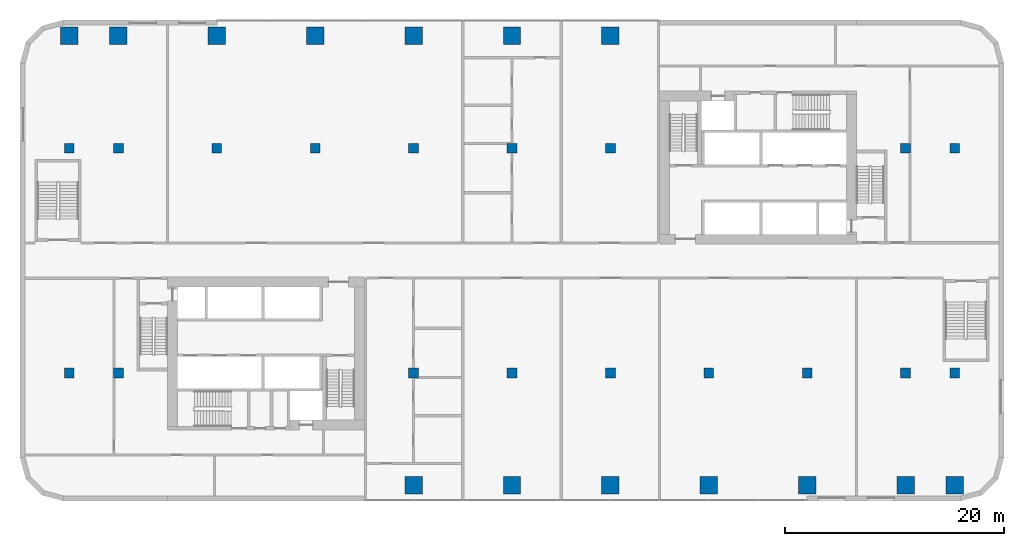
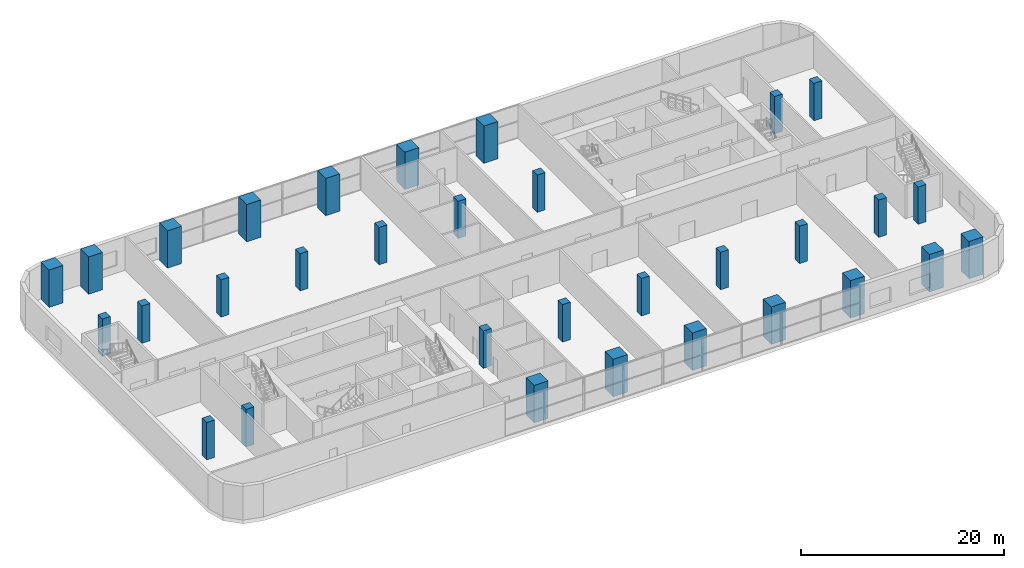
# One storey, part 1 of 19: 32 columns.
"""IFC4 building model written with IfcOpenShell, lengths in metres."""

import ifcopenshell
import ifcopenshell.guid

model = None  # the IFC model being written
_history = None  # IfcOwnerHistory: only IFC2X3 demands one
_inside = {}  # id of a spatial element -> (the spatial element, [elements in it])
_under = {}  # id of a project, library or spatial element -> (it, [spatial elements below it])
_declared = {}  # id of a project -> (the project, [libraries it declares])
_typed = {}  # id of a type object -> (the type object, [elements of that type])
_made_of = {}  # id of a material, layer set ... -> (it, [elements and type objects made of it])


def new_model(schema):
    """Start an empty IFC model of exactly this schema.

    Asked for "IFC4X3", IfcOpenShell would pick the latest addendum, in which some entities
    have other attributes; the version numbers below select the first issue.
    IFC2X3 requires an IfcOwnerHistory on every rooted entity: one is made here for all.
    """
    global model, _history
    if schema == "IFC4X3":
        model = ifcopenshell.file(schema_version=(4, 3, 0, 0))
    else:
        model = ifcopenshell.file(schema=schema)
    _inside.clear()
    _under.clear()
    _declared.clear()
    _typed.clear()
    _made_of.clear()
    _history = None
    if model.schema == "IFC2X3":
        org = make("IfcOrganization", Name="unknown")
        user = make(
            "IfcPersonAndOrganization",
            ThePerson=make("IfcPerson", FamilyName="unknown"),
            TheOrganization=org,
        )
        app = make(
            "IfcApplication",
            ApplicationDeveloper=org,
            Version="unknown",
            ApplicationFullName="unknown",
            ApplicationIdentifier="unknown",
        )
        _history = make(
            "IfcOwnerHistory",
            OwningUser=user,
            OwningApplication=app,
            ChangeAction="ADDED",
            CreationDate=0,
        )
    return model


def make(cls, **values):
    """One entity of the class cls with the attributes given. An attribute that is None is left unset."""
    return model.create_entity(
        cls, **{name: value for name, value in values.items() if value is not None}
    )


def rooted(cls, **values):
    """An entity with a GlobalId (a new one), such as an element, a storey or a relation."""
    return make(cls, GlobalId=ifcopenshell.guid.new(), OwnerHistory=_history, **values)


def si_unit(unit_type, name, prefix=None):
    """IfcSIUnit, for example si_unit("LENGTHUNIT", "METRE", prefix="MILLI")."""
    return make("IfcSIUnit", UnitType=unit_type, Prefix=prefix, Name=name)


def assignment(units):
    """IfcUnitAssignment: the units of a project."""
    return None if units is None else make("IfcUnitAssignment", Units=units)


def point(xyz):
    """IfcCartesianPoint."""
    return None if xyz is None else make("IfcCartesianPoint", Coordinates=xyz)


def direction(xyz):
    """IfcDirection."""
    return None if xyz is None else make("IfcDirection", DirectionRatios=xyz)


def frame(location, z_axis=None, x_axis=None):
    """IfcAxis2Placement3D, a coordinate frame: its origin and axes. An axis left out is left unset."""
    return make(
        "IfcAxis2Placement3D",
        Location=point(location),
        Axis=direction(z_axis),
        RefDirection=direction(x_axis),
    )


def frame_2d(location, x_axis=None):
    """IfcAxis2Placement2D, a coordinate frame in the plane: its origin and x axis."""
    return make(
        "IfcAxis2Placement2D", Location=point(location), RefDirection=direction(x_axis)
    )


def origin():
    """The frame at (0, 0, 0) with its axes left unset."""
    return frame((0.0, 0.0, 0.0))


def origin_2d():
    """The frame at (0, 0) in the plane with its x axis left unset."""
    return frame_2d((0.0, 0.0))


def place(relative_to, where):
    """IfcLocalPlacement: puts the frame where relative to a parent placement (None: the world)."""
    return make(
        "IfcLocalPlacement", PlacementRelTo=relative_to, RelativePlacement=where
    )


def context(
    kind, dimensions, precision=None, world=None, true_north=None, identifier=None
):
    """IfcGeometricRepresentationContext, for example the 3D "Model" context."""
    return make(
        "IfcGeometricRepresentationContext",
        ContextIdentifier=identifier,
        ContextType=kind,
        CoordinateSpaceDimension=dimensions,
        Precision=precision,
        WorldCoordinateSystem=world,
        TrueNorth=true_north,
    )


def subcontext(parent, identifier, kind, view, scale=None):
    """IfcGeometricRepresentationSubContext, for example "Body" below "Model"."""
    return make(
        "IfcGeometricRepresentationSubContext",
        ContextIdentifier=identifier,
        ContextType=kind,
        ParentContext=parent,
        TargetScale=scale,
        TargetView=view,
    )


def project(units=None, contexts=None):
    """IfcProject with its units and contexts."""
    return rooted(
        "IfcProject",
        Name="project",
        RepresentationContexts=contexts,
        UnitsInContext=assignment(units),
    )


def spatial(cls, under=None, at=None, **own):
    """A site, building, storey or space (cls), placed at a placement, below another one or the project."""
    s = rooted(cls, ObjectPlacement=at, **own)
    if under is not None:
        _under.setdefault(under.id(), (under, []))[1].append(s)
    return s


def profile(cls, at=None, kind="AREA", **sizes):
    """A parametric profile (cls). Its sizes go by their IFC names, for example OverallWidth=200.0."""
    return make(cls, ProfileType=kind, Position=at, **sizes)


def rectangle(**sizes):
    """IfcRectangleProfileDef."""
    return profile("IfcRectangleProfileDef", **sizes)


def extrude(swept, where, along, depth):
    """IfcExtrudedAreaSolid: the profile swept, set in the frame where, extruded along a direction by depth."""
    return make(
        "IfcExtrudedAreaSolid",
        SweptArea=swept,
        Position=where,
        ExtrudedDirection=direction(along),
        Depth=depth,
    )


def shape(context_of_items, identifier, shape_type, items):
    """IfcShapeRepresentation: the items that make up one representation, for example the "Body"."""
    return make(
        "IfcShapeRepresentation",
        ContextOfItems=context_of_items,
        RepresentationIdentifier=identifier,
        RepresentationType=shape_type,
        Items=items,
    )


def material(Name=None, Category=None):
    """IfcMaterial."""
    return make("IfcMaterial", Name=Name, Category=Category)


def material_profile(
    of_material, cross_section, Name=None, Category=None, Priority=None
):
    """IfcMaterialProfile: a cross section and its material."""
    return make(
        "IfcMaterialProfile",
        Name=Name,
        Material=of_material,
        Profile=cross_section,
        Priority=Priority,
        Category=Category,
    )


def profile_set(profiles, Name=None, composite=None):
    """IfcMaterialProfileSet."""
    return make(
        "IfcMaterialProfileSet",
        Name=Name,
        MaterialProfiles=profiles,
        CompositeProfile=composite,
    )


def made_of(thing, what):
    """Note that an element or type object is made of a material, layer set ...; save() writes the relation."""
    if what is not None:
        _made_of.setdefault(what.id(), (what, []))[1].append(thing)
    return thing


def type_object(cls, material=None, **own):
    """A type object (cls), such as IfcWallType, which elements share."""
    return made_of(rooted(cls, **own), material)


def element(
    cls,
    number,
    at=None,
    inside=None,
    cuts=None,
    type_object=None,
    material=None,
    context=None,
    identifier="Body",
    shape_type=None,
    held_by="IfcProductDefinitionShape",
    body=None,
    shapes=None,
    **own,
):
    """One element of the class cls, such as IfcWall. Its Tag is "e" and its number.

    at: its placement. inside: the storey or other place that contains it. cuts: it is an
    opening in that element (IfcRelVoidsElement). A single representation is given by context,
    identifier, shape_type and body (its items); several are given by shapes. held_by: the class
    of the entity that holds the representations. save() writes the other relations.
    """
    e = rooted(cls, Tag="e%d" % number, ObjectPlacement=at, **own)
    if body is not None:
        shapes = [shape(context, identifier, shape_type, body)]
    if shapes is not None:
        e.Representation = make(held_by, Representations=shapes)
    if inside is not None:
        _inside.setdefault(inside.id(), (inside, []))[1].append(e)
    if cuts is not None:
        rooted(
            "IfcRelVoidsElement", RelatingBuildingElement=cuts, RelatedOpeningElement=e
        )
    if type_object is not None:
        _typed.setdefault(type_object.id(), (type_object, []))[1].append(e)
    return made_of(e, material)


def aggregate(whole, parts):
    """IfcRelAggregates: a whole, such as a stair, and the parts it consists of."""
    return rooted("IfcRelAggregates", RelatingObject=whole, RelatedObjects=parts)


def save(model, path):
    """Write the relations noted so far, then the file.

    IfcRelAggregates (storeys below a building ...), IfcRelContainedInSpatialStructure (elements
    in a storey), IfcRelDefinesByType, IfcRelAssociatesMaterial and IfcRelDeclares: one each for
    every whole, place, type object, material and project.
    """
    for whole, parts in _under.values():
        aggregate(whole, parts)
    for where, things in _inside.values():
        rooted(
            "IfcRelContainedInSpatialStructure",
            RelatedElements=things,
            RelatingStructure=where,
        )
    for kind, things in _typed.values():
        rooted("IfcRelDefinesByType", RelatedObjects=things, RelatingType=kind)
    for what, things in _made_of.values():
        rooted("IfcRelAssociatesMaterial", RelatedObjects=things, RelatingMaterial=what)
    for by, libraries in _declared.values():
        rooted("IfcRelDeclares", RelatingContext=by, RelatedDefinitions=libraries)
    model.write(path)


model = new_model("IFC4")

# Units and contexts
model_context = context("Model", 3, precision=1e-05, world=origin(), true_north=direction((0.0, 1.0)))
body_context = subcontext(model_context, "Body", "Model", "MODEL_VIEW")
ifc_project = project(units=[si_unit("LENGTHUNIT", "METRE"), si_unit("AREAUNIT", "SQUARE_METRE"), si_unit("VOLUMEUNIT", "CUBIC_METRE"), si_unit("PLANEANGLEUNIT", "RADIAN"), si_unit("MASSUNIT", "GRAM", prefix="KILO")], contexts=[model_context])

# Site, building, storey
site_placement = place(None, origin())
site = spatial("IfcSite", under=ifc_project, at=site_placement, CompositionType="ELEMENT")
building_placement = place(site_placement, origin())
building = spatial("IfcBuilding", under=site, at=building_placement, Name="Kajstack Hotel Tower", CompositionType="ELEMENT")
storey_placement = place(building_placement, frame((0.0, 0.0, 33.5)))
storey = spatial("IfcBuildingStorey", under=building, at=storey_placement, Name="L05", CompositionType="ELEMENT", Elevation=33.5)

# Columns
ifc_material_1 = material(Name="Concrete C70/85", Category="concrete")
ifc_material_profile_1 = material_profile(ifc_material_1, rectangle(XDim=1.60009765625, YDim=1.60009765625, at=origin_2d()), Name="RC 1600x1600")
ifc_profile_set_1 = profile_set([ifc_material_profile_1], Name="Concrete C70/85")
column_type_1 = type_object("IfcColumnType", Name="RC 1600x1600 C70/85", PredefinedType="COLUMN", material=ifc_profile_set_1)
for number, where, z_axis, x_axis, name in (
    (1, (-40.5, 20.550048828125, 0.0), (0.0, 0.0, 1.0), (1.0, 0.0, 0.0), "S-col-mega-L05--40p5+20p6"),
    (2, (-36.0, 20.550048828125, 0.0), (0.0, 0.0, 1.0), (1.0, 0.0, 0.0), "S-col-mega-L05--36p0+20p6"),
    (3, (-27.0, 20.550048828125, 0.0), (0.0, 0.0, 1.0), (1.0, 0.0, 0.0), "S-col-mega-L05--27p0+20p6"),
    (4, (-18.0, 20.550048828125, 0.0), (0.0, 0.0, 1.0), (1.0, 0.0, 0.0), "S-col-mega-L05--18p0+20p6"),
    (5, (-9.0, -20.550048828125, 0.0), (0.0, 0.0, 1.0), (1.0, 0.0, 0.0), "S-col-mega-L05--9p0-20p6"),
    (6, (-9.0, 20.550048828125, 0.0), (0.0, 0.0, 1.0), (1.0, 0.0, 0.0), "S-col-mega-L05--9p0+20p6"),
    (7, (0.0, -20.550048828125, 0.0), (0.0, 0.0, 1.0), (1.0, 0.0, 0.0), "S-col-mega-L05-+0p0-20p6"),
    (8, (0.0, 20.550048828125, 0.0), (0.0, 0.0, 1.0), (1.0, 0.0, 0.0), "S-col-mega-L05-+0p0+20p6"),
    (9, (9.0, -20.550048828125, 0.0), (0.0, 0.0, 1.0), (1.0, 0.0, 0.0), "S-col-mega-L05-+9p0-20p6"),
    (10, (9.0, 20.550048828125, 0.0), (0.0, 0.0, 1.0), (1.0, 0.0, 0.0), "S-col-mega-L05-+9p0+20p6"),
    (11, (18.0, -20.550048828125, 0.0), (0.0, 0.0, 1.0), (1.0, 0.0, 0.0), "S-col-mega-L05-+18p0-20p6"),
    (12, (27.0, -20.550048828125, 0.0), (0.0, 0.0, 1.0), (1.0, 0.0, 0.0), "S-col-mega-L05-+27p0-20p6"),
    (13, (36.0, -20.550048828125, 0.0), (0.0, 0.0, 1.0), (1.0, 0.0, 0.0), "S-col-mega-L05-+36p0-20p6"),
    (14, (40.5, -20.550048828125, 0.0), (0.0, 0.0, 1.0), (1.0, 0.0, 0.0), "S-col-mega-L05-+40p5-20p6"),
):
    element("IfcColumn", number, at=place(storey_placement, frame(where, z_axis=z_axis, x_axis=x_axis)), inside=storey, type_object=column_type_1, Name=name, PredefinedType="COLUMN", context=body_context, shape_type="SweptSolid", body=[
        extrude(rectangle(XDim=1.60009765625, YDim=1.60009765625, at=origin_2d()), origin(), (0.0, 0.0, 1.0), 4.5),
    ])
ifc_material_2 = material(Name="Concrete C50/60", Category="concrete")
ifc_material_profile_2 = material_profile(ifc_material_2, rectangle(XDim=0.89990234375, YDim=0.89990234375, at=origin_2d()), Name="RC 900x900")
ifc_profile_set_2 = profile_set([ifc_material_profile_2], Name="Concrete C50/60")
column_type_2 = type_object("IfcColumnType", Name="RC 900x900 C50/60", PredefinedType="COLUMN", material=ifc_profile_set_2)
for number, where, z_axis, x_axis, name in (
    (15, (-40.5, -10.27490234375, 0.0), (0.0, 0.0, 1.0), (1.0, 0.0, 0.0), "S-col-int-L05--40p5-10p3"),
    (16, (-40.5, 10.27490234375, 0.0), (0.0, 0.0, 1.0), (1.0, 0.0, 0.0), "S-col-int-L05--40p5+10p3"),
    (17, (-36.0, -10.27490234375, 0.0), (0.0, 0.0, 1.0), (1.0, 0.0, 0.0), "S-col-int-L05--36p0-10p3"),
    (18, (-36.0, 10.27490234375, 0.0), (0.0, 0.0, 1.0), (1.0, 0.0, 0.0), "S-col-int-L05--36p0+10p3"),
    (19, (-27.0, 10.27490234375, 0.0), (0.0, 0.0, 1.0), (1.0, 0.0, 0.0), "S-col-int-L05--27p0+10p3"),
    (20, (-18.0, 10.27490234375, 0.0), (0.0, 0.0, 1.0), (1.0, 0.0, 0.0), "S-col-int-L05--18p0+10p3"),
    (21, (-9.0, -10.27490234375, 0.0), (0.0, 0.0, 1.0), (1.0, 0.0, 0.0), "S-col-int-L05--9p0-10p3"),
    (22, (-9.0, 10.27490234375, 0.0), (0.0, 0.0, 1.0), (1.0, 0.0, 0.0), "S-col-int-L05--9p0+10p3"),
    (23, (0.0, -10.27490234375, 0.0), (0.0, 0.0, 1.0), (1.0, 0.0, 0.0), "S-col-int-L05-+0p0-10p3"),
    (24, (0.0, 10.27490234375, 0.0), (0.0, 0.0, 1.0), (1.0, 0.0, 0.0), "S-col-int-L05-+0p0+10p3"),
    (25, (9.0, -10.27490234375, 0.0), (0.0, 0.0, 1.0), (1.0, 0.0, 0.0), "S-col-int-L05-+9p0-10p3"),
    (26, (9.0, 10.27490234375, 0.0), (0.0, 0.0, 1.0), (1.0, 0.0, 0.0), "S-col-int-L05-+9p0+10p3"),
    (27, (18.0, -10.27490234375, 0.0), (0.0, 0.0, 1.0), (1.0, 0.0, 0.0), "S-col-int-L05-+18p0-10p3"),
    (28, (27.0, -10.27490234375, 0.0), (0.0, 0.0, 1.0), (1.0, 0.0, 0.0), "S-col-int-L05-+27p0-10p3"),
    (29, (36.0, -10.27490234375, 0.0), (0.0, 0.0, 1.0), (1.0, 0.0, 0.0), "S-col-int-L05-+36p0-10p3"),
    (30, (36.0, 10.27490234375, 0.0), (0.0, 0.0, 1.0), (1.0, 0.0, 0.0), "S-col-int-L05-+36p0+10p3"),
    (31, (40.5, -10.27490234375, 0.0), (0.0, 0.0, 1.0), (1.0, 0.0, 0.0), "S-col-int-L05-+40p5-10p3"),
    (32, (40.5, 10.27490234375, 0.0), (0.0, 0.0, 1.0), (1.0, 0.0, 0.0), "S-col-int-L05-+40p5+10p3"),
):
    element("IfcColumn", number, at=place(storey_placement, frame(where, z_axis=z_axis, x_axis=x_axis)), inside=storey, type_object=column_type_2, Name=name, PredefinedType="COLUMN", context=body_context, shape_type="SweptSolid", body=[
        extrude(rectangle(XDim=0.89990234375, YDim=0.89990234375, at=origin_2d()), origin(), (0.0, 0.0, 1.0), 4.5),
    ])

save(model, "model.ifc")
